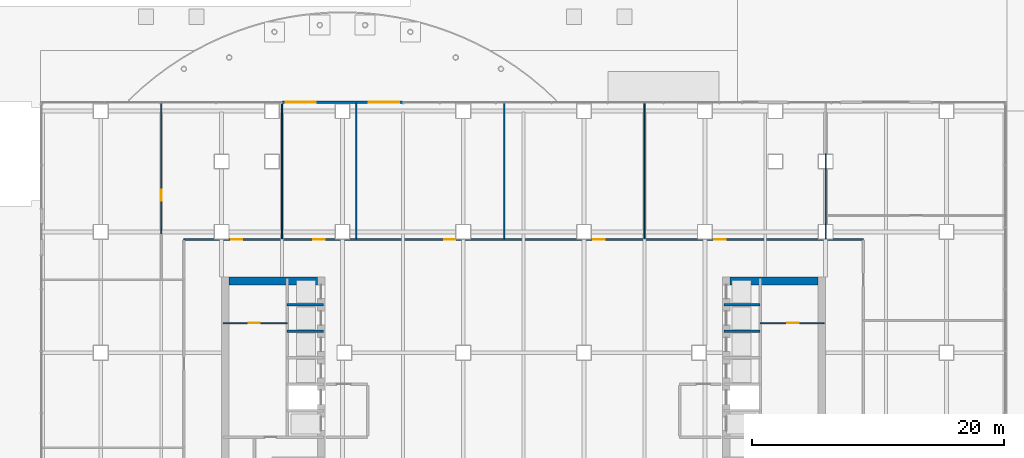
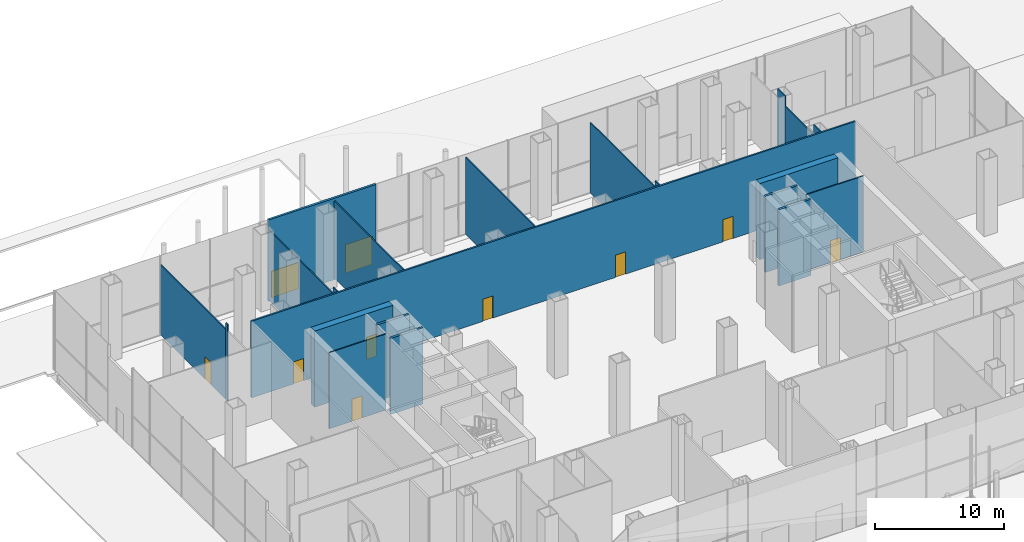
# One storey, part 29 of 36: 21 walls, 10 doors, 10 openings.
"""IFC4 building model written with IfcOpenShell, lengths in metres."""

from ifc_helpers import new_model, si_unit, direction, frame, frame_2d, origin, place, context, subcontext, project, spatial, rectangle, extrude, material, layer, layer_set, type_object, element, fill, save


model = new_model("IFC4")

# Units and contexts
model_context = context("Model", 3, precision=1e-05, world=origin(), true_north=direction((0.0, 1.0)))
body_context = subcontext(model_context, "Body", "Model", "MODEL_VIEW")
ifc_project = project(units=[si_unit("LENGTHUNIT", "METRE"), si_unit("AREAUNIT", "SQUARE_METRE"), si_unit("VOLUMEUNIT", "CUBIC_METRE"), si_unit("PLANEANGLEUNIT", "RADIAN"), si_unit("MASSUNIT", "GRAM", prefix="KILO")], contexts=[model_context])

# Site, building, storey
site_placement = place(None, origin())
site = spatial("IfcSite", under=ifc_project, at=site_placement, CompositionType="ELEMENT")
building_placement = place(site_placement, origin())
building = spatial("IfcBuilding", under=site, at=building_placement, Name="Cobrizo Arcos Hotel Tower", CompositionType="ELEMENT")
storey_placement = place(building_placement, origin())
storey = spatial("IfcBuildingStorey", under=building, at=storey_placement, Name="L00", CompositionType="ELEMENT", Elevation=0.0)

# Wall, openings, doors
ifc_material_1 = material(Name="Gypsum board partition")
ifc_layer_1 = layer(ifc_material_1, 0.14990234375)
ifc_layer_set_1 = layer_set([ifc_layer_1], Name="Corridor wall EI 60 150")
wall_type_1 = type_object("IfcWallType", Name="Corridor wall EI 60 150", PredefinedType="PARTITIONING", material=ifc_layer_set_1)
wall_1_placement = place(storey_placement, frame((-27.0, 13.800048828125, 0.0), z_axis=(0.0, 0.0, 1.0), x_axis=(1.0, 0.0, 0.0)))
wall_1 = element("IfcWall", 1, at=wall_1_placement, inside=storey, type_object=wall_type_1, Name="Partition 036", PredefinedType="PARTITIONING", context=body_context, shape_type="SweptSolid", body=[
    extrude(rectangle(XDim=54.0, YDim=0.14990234375, at=frame_2d((27.0, 0.0))), origin(), (0.0, 0.0, 1.0), 7.25),
])
opening_1_placement = place(wall_1_placement, frame((10.291015625, 0.0, 0.0)))
opening_1 = element("IfcOpeningElement", 2, at=opening_1_placement, cuts=wall_1, Name="Opening RD-08", PredefinedType="OPENING", context=body_context, shape_type="SweptSolid", body=[
    extrude(rectangle(XDim=0.89990234375, YDim=2.10009765625, at=frame_2d((0.449951171875, 1.050048828125))), frame((0.0, 0.0869140625, 0.0), z_axis=(0.0, -1.0, 0.0), x_axis=(1.0, 0.0, 0.0)), (0.0, 0.0, 1.0), 0.173828125),
])
opening_2_placement = place(wall_1_placement, frame((20.674072265625, 0.0, 0.0)))
opening_2 = element("IfcOpeningElement", 3, at=opening_2_placement, cuts=wall_1, Name="Opening RD-09", PredefinedType="OPENING", context=body_context, shape_type="SweptSolid", body=[
    extrude(rectangle(XDim=0.89990234375, YDim=2.10009765625, at=frame_2d((0.449951171875, 1.050048828125))), frame((0.0, 0.0869140625, 0.0), z_axis=(0.0, -1.0, 0.0), x_axis=(1.0, 0.0, 0.0)), (0.0, 0.0, 1.0), 0.173828125),
])
opening_3_placement = place(wall_1_placement, frame((32.550048828125, 0.0, 0.0)))
opening_3 = element("IfcOpeningElement", 4, at=opening_3_placement, cuts=wall_1, Name="Opening RD-11", PredefinedType="OPENING", context=body_context, shape_type="SweptSolid", body=[
    extrude(rectangle(XDim=0.89990234375, YDim=2.10009765625, at=frame_2d((0.449951171875, 1.050048828125))), frame((0.0, 0.0869140625, 0.0), z_axis=(0.0, -1.0, 0.0), x_axis=(1.0, 0.0, 0.0)), (0.0, 0.0, 1.0), 0.173828125),
])
opening_4_placement = place(wall_1_placement, frame((42.14990234375, 0.0, 0.0)))
opening_4 = element("IfcOpeningElement", 5, at=opening_4_placement, cuts=wall_1, Name="Opening RD-15", PredefinedType="OPENING", context=body_context, shape_type="SweptSolid", body=[
    extrude(rectangle(XDim=0.89990234375, YDim=2.10009765625, at=frame_2d((0.449951171875, 1.050048828125))), frame((0.0, 0.0869140625, 0.0), z_axis=(0.0, -1.0, 0.0), x_axis=(1.0, 0.0, 0.0)), (0.0, 0.0, 1.0), 0.173828125),
])
opening_5_placement = place(wall_1_placement, frame((3.75, 0.0, 0.0)))
opening_5 = element("IfcOpeningElement", 6, at=opening_5_placement, cuts=wall_1, Name="Opening RD-18", PredefinedType="OPENING", context=body_context, shape_type="SweptSolid", body=[
    extrude(rectangle(XDim=0.89990234375, YDim=2.10009765625, at=frame_2d((0.449951171875, 1.050048828125))), frame((0.0, 0.0869140625, 0.0), z_axis=(0.0, -1.0, 0.0), x_axis=(1.0, 0.0, 0.0)), (0.0, 0.0, 1.0), 0.173828125),
])
ifc_material_2 = material(Name="Timber door leaf", Category="wood")
door_type_1 = type_object("IfcDoorType", Name="Room door FD30 900x2100", OperationType="SINGLE_SWING_LEFT", PredefinedType="DOOR", material=ifc_material_2)
door_1_placement = place(opening_1_placement, origin())
door_1 = element("IfcDoor", 7, at=door_1_placement, inside=storey, type_object=door_type_1, Name="Door RD-08", OperationType="SINGLE_SWING_LEFT", OverallHeight=2.10009765625, OverallWidth=0.89990234375, PredefinedType="DOOR", context=body_context, shape_type="SweptSolid", body=[
    extrude(rectangle(XDim=0.89990234375, YDim=2.10009765625, at=frame_2d((0.449951171875, 1.050048828125))), frame((0.0, 0.02490234375, 0.0), z_axis=(0.0, -1.0, 0.0), x_axis=(1.0, 0.0, 0.0)), (0.0, 0.0, 1.0), 0.050048828125),
])
fill(opening_1, door_1)
door_2_placement = place(opening_2_placement, origin())
door_2 = element("IfcDoor", 8, at=door_2_placement, inside=storey, type_object=door_type_1, Name="Door RD-09", OperationType="SINGLE_SWING_LEFT", OverallHeight=2.10009765625, OverallWidth=0.89990234375, PredefinedType="DOOR", context=body_context, shape_type="SweptSolid", body=[
    extrude(rectangle(XDim=0.89990234375, YDim=2.10009765625, at=frame_2d((0.449951171875, 1.050048828125))), frame((0.0, 0.02490234375, 0.0), z_axis=(0.0, -1.0, 0.0), x_axis=(1.0, 0.0, 0.0)), (0.0, 0.0, 1.0), 0.050048828125),
])
fill(opening_2, door_2)
door_3_placement = place(opening_3_placement, origin())
door_3 = element("IfcDoor", 9, at=door_3_placement, inside=storey, type_object=door_type_1, Name="Door RD-11", OperationType="SINGLE_SWING_LEFT", OverallHeight=2.10009765625, OverallWidth=0.89990234375, PredefinedType="DOOR", context=body_context, shape_type="SweptSolid", body=[
    extrude(rectangle(XDim=0.89990234375, YDim=2.10009765625, at=frame_2d((0.449951171875, 1.050048828125))), frame((0.0, 0.02490234375, 0.0), z_axis=(0.0, -1.0, 0.0), x_axis=(1.0, 0.0, 0.0)), (0.0, 0.0, 1.0), 0.050048828125),
])
fill(opening_3, door_3)
door_4_placement = place(opening_4_placement, origin())
door_4 = element("IfcDoor", 10, at=door_4_placement, inside=storey, type_object=door_type_1, Name="Door RD-15", OperationType="SINGLE_SWING_RIGHT", OverallHeight=2.10009765625, OverallWidth=0.89990234375, PredefinedType="DOOR", context=body_context, shape_type="SweptSolid", body=[
    extrude(rectangle(XDim=0.89990234375, YDim=2.10009765625, at=frame_2d((0.449951171875, 1.050048828125))), frame((0.0, 0.02490234375, 0.0), z_axis=(0.0, -1.0, 0.0), x_axis=(1.0, 0.0, 0.0)), (0.0, 0.0, 1.0), 0.050048828125),
])
fill(opening_4, door_4)
door_5_placement = place(opening_5_placement, origin())
door_5 = element("IfcDoor", 11, at=door_5_placement, inside=storey, type_object=door_type_1, Name="Door RD-18", OperationType="SINGLE_SWING_LEFT", OverallHeight=2.10009765625, OverallWidth=0.89990234375, PredefinedType="DOOR", context=body_context, shape_type="SweptSolid", body=[
    extrude(rectangle(XDim=0.89990234375, YDim=2.10009765625, at=frame_2d((0.449951171875, 1.050048828125))), frame((0.0, 0.02490234375, 0.0), z_axis=(0.0, -1.0, 0.0), x_axis=(1.0, 0.0, 0.0)), (0.0, 0.0, 1.0), 0.050048828125),
])
fill(opening_5, door_5)

ifc_material_3 = material(Name="Aluminium 6063-T6 anodised pale", Category="aluminium")
ifc_layer_2 = layer(ifc_material_3, 0.199951171875)
ifc_layer_set_2 = layer_set([ifc_layer_2], Name="EW-2 shopfront wall")
wall_type_2 = type_object("IfcWallType", Name="EW-2 shopfront wall", PredefinedType="SOLIDWALL", material=ifc_layer_set_2)
wall_2_placement = place(storey_placement, frame((-9.60009765625, 24.699951171875, -0.199951171875), z_axis=(0.0, 0.0, 1.0), x_axis=(-1.0, 0.0, 0.0)))
wall_2 = element("IfcWall", 12, at=wall_2_placement, inside=storey, type_object=wall_type_2, Name="Entrance wall L00 N", PredefinedType="SOLIDWALL", context=body_context, shape_type="SweptSolid", body=[
    extrude(rectangle(XDim=9.599853515625, YDim=0.199951171875, at=frame_2d((4.7998046875, 0.0))), origin(), (0.0, 0.0, 1.0), 7.699951171875),
])
opening_6_placement = place(wall_2_placement, frame((6.89990234375, 0.0, 0.199951171875)))
opening_6 = element("IfcOpeningElement", 13, at=opening_6_placement, cuts=wall_2, Name="Opening E-04", PredefinedType="OPENING", context=body_context, shape_type="SweptSolid", body=[
    extrude(rectangle(XDim=2.39990234375, YDim=2.5, at=frame_2d((1.199951171875, 1.25))), frame((0.0, 0.112060546875, 0.0), z_axis=(0.0, -1.0, 0.0), x_axis=(1.0, 0.0, 0.0)), (0.0, 0.0, 1.0), 0.223876953125),
])
opening_7_placement = place(wall_2_placement, frame((0.300048828125, 0.0, 0.199951171875)))
opening_7 = element("IfcOpeningElement", 14, at=opening_7_placement, cuts=wall_2, Name="Opening E-05", PredefinedType="OPENING", context=body_context, shape_type="SweptSolid", body=[
    extrude(rectangle(XDim=2.39990234375, YDim=2.699951171875, at=frame_2d((1.199951171875, 1.35009765625))), frame((0.0, 0.112060546875, 0.0), z_axis=(0.0, -1.0, 0.0), x_axis=(1.0, 0.0, 0.0)), (0.0, 0.0, 1.0), 0.223876953125),
])
ifc_material_4 = material(Name="Aluminium 6063-T6 and clear laminated glass", Category="aluminium")
door_type_2 = type_object("IfcDoorType", Name="D-A1 automatic sliding entrance door 2400x2700", OperationType="DOUBLE_DOOR_SLIDING", PredefinedType="DOOR", material=ifc_material_4)
door_6_placement = place(opening_7_placement, origin())
door_6 = element("IfcDoor", 15, at=door_6_placement, inside=storey, type_object=door_type_2, Name="Entrance wall L00 N door E-05", OperationType="DOUBLE_DOOR_SLIDING", OverallHeight=2.699951171875, OverallWidth=2.39990234375, PredefinedType="DOOR", context=body_context, shape_type="SweptSolid", body=[
    extrude(rectangle(XDim=2.39990234375, YDim=2.699951171875, at=frame_2d((1.199951171875, 1.35009765625))), frame((0.0, 0.02490234375, 0.0), z_axis=(0.0, -1.0, 0.0), x_axis=(1.0, 0.0, 0.0)), (0.0, 0.0, 1.0), 0.050048828125),
])
fill(opening_7, door_6)
door_type_3 = type_object("IfcDoorType", Name="D-E1 entrance double door 2400x2500", OperationType="DOUBLE_DOOR_DOUBLE_SWING", PredefinedType="DOOR", material=ifc_material_4)
door_7_placement = place(opening_6_placement, origin())
door_7 = element("IfcDoor", 16, at=door_7_placement, inside=storey, type_object=door_type_3, Name="Entrance wall L00 N door E-04", OperationType="DOUBLE_DOOR_DOUBLE_SWING", OverallHeight=2.5, OverallWidth=2.39990234375, PredefinedType="DOOR", context=body_context, shape_type="SweptSolid", body=[
    extrude(rectangle(XDim=2.39990234375, YDim=2.5, at=frame_2d((1.199951171875, 1.25))), frame((0.0, 0.02490234375, 0.0), z_axis=(0.0, -1.0, 0.0), x_axis=(1.0, 0.0, 0.0)), (0.0, 0.0, 1.0), 0.050048828125),
])
fill(opening_6, door_7)

# Wall, opening, door
ifc_layer_3 = layer(ifc_material_1, 0.10009765625)
ifc_layer_set_3 = layer_set([ifc_layer_3], Name="Partition EI 30 100")
wall_type_3 = type_object("IfcWallType", Name="Partition EI 30 100", PredefinedType="PARTITIONING", material=ifc_layer_set_3)
wall_3_placement = place(storey_placement, frame((-23.8798828125, 7.14990234375, 0.0), z_axis=(0.0, 0.0, 1.0), x_axis=(1.0, 0.0, 0.0)))
wall_3 = element("IfcWall", 17, at=wall_3_placement, inside=storey, type_object=wall_type_3, Name="Partition 030", PredefinedType="PARTITIONING", context=body_context, shape_type="SweptSolid", body=[
    extrude(rectangle(XDim=5.079833984375, YDim=0.10009765625, at=frame_2d((2.5400390625, 0.0))), origin(), (0.0, 0.0, 1.0), 7.199951171875),
])
opening_8_placement = place(wall_3_placement, frame((2.030029296875, 0.0, 0.0)))
opening_8 = element("IfcOpeningElement", 18, at=opening_8_placement, cuts=wall_3, Name="Opening RD-02", PredefinedType="OPENING", context=body_context, shape_type="SweptSolid", body=[
    extrude(rectangle(XDim=0.89990234375, YDim=2.10009765625, at=frame_2d((0.449951171875, 1.050048828125))), frame((0.0, 0.06201171875, 0.0), z_axis=(0.0, -1.0, 0.0), x_axis=(1.0, 0.0, 0.0)), (0.0, 0.0, 1.0), 0.1240234375),
])
door_8_placement = place(opening_8_placement, origin())
door_8 = element("IfcDoor", 19, at=door_8_placement, inside=storey, type_object=door_type_1, Name="Door RD-02", OperationType="SINGLE_SWING_RIGHT", OverallHeight=2.10009765625, OverallWidth=0.89990234375, PredefinedType="DOOR", context=body_context, shape_type="SweptSolid", body=[
    extrude(rectangle(XDim=0.89990234375, YDim=2.10009765625, at=frame_2d((0.449951171875, 1.050048828125))), frame((0.0, 0.02490234375, 0.0), z_axis=(0.0, -1.0, 0.0), x_axis=(1.0, 0.0, 0.0)), (0.0, 0.0, 1.0), 0.050048828125),
])
fill(opening_8, door_8)

wall_4_placement = place(storey_placement, frame((18.800048828125, 7.14990234375, 0.0), z_axis=(0.0, 0.0, 1.0), x_axis=(1.0, 0.0, 0.0)))
wall_4 = element("IfcWall", 20, at=wall_4_placement, inside=storey, type_object=wall_type_3, Name="Partition 031", PredefinedType="PARTITIONING", context=body_context, shape_type="SweptSolid", body=[
    extrude(rectangle(XDim=5.079833984375, YDim=0.10009765625, at=frame_2d((2.5400390625, 0.0))), origin(), (0.0, 0.0, 1.0), 7.199951171875),
])
opening_9_placement = place(wall_4_placement, frame((2.14990234375, 0.0, 0.0)))
opening_9 = element("IfcOpeningElement", 21, at=opening_9_placement, cuts=wall_4, Name="Opening RD-05", PredefinedType="OPENING", context=body_context, shape_type="SweptSolid", body=[
    extrude(rectangle(XDim=0.89990234375, YDim=2.10009765625, at=frame_2d((0.449951171875, 1.050048828125))), frame((0.0, 0.06201171875, 0.0), z_axis=(0.0, -1.0, 0.0), x_axis=(1.0, 0.0, 0.0)), (0.0, 0.0, 1.0), 0.1240234375),
])
door_9_placement = place(opening_9_placement, origin())
door_9 = element("IfcDoor", 22, at=door_9_placement, inside=storey, type_object=door_type_1, Name="Door RD-05", OperationType="SINGLE_SWING_RIGHT", OverallHeight=2.10009765625, OverallWidth=0.89990234375, PredefinedType="DOOR", context=body_context, shape_type="SweptSolid", body=[
    extrude(rectangle(XDim=0.89990234375, YDim=2.10009765625, at=frame_2d((0.449951171875, 1.050048828125))), frame((0.0, 0.02490234375, 0.0), z_axis=(0.0, -1.0, 0.0), x_axis=(1.0, 0.0, 0.0)), (0.0, 0.0, 1.0), 0.050048828125),
])
fill(opening_9, door_9)

# Wall
wall_5_placement = place(storey_placement, frame((-28.800048828125, 14.24609375, 0.0), z_axis=(0.0, 0.0, 1.0), x_axis=(0.0, 1.0, 0.0)))
element("IfcWall", 23, at=wall_5_placement, inside=storey, type_object=wall_type_3, Name="Partition 040", PredefinedType="PARTITIONING", context=body_context, shape_type="SweptSolid", body=[
    extrude(rectangle(XDim=0.307861328125, YDim=0.10009765625, at=frame_2d((0.15380859375, 0.0))), origin(), (0.0, 0.0, 1.0), 7.25),
])

# Wall, opening, door
wall_6_placement = place(storey_placement, frame((-28.800048828125, 14.5537109375, 0.0), z_axis=(0.0, 0.0, 1.0), x_axis=(0.0, 1.0, 0.0)))
wall_6 = element("IfcWall", 24, at=wall_6_placement, inside=storey, type_object=wall_type_3, Name="Partition 041", PredefinedType="PARTITIONING", context=body_context, shape_type="SweptSolid", body=[
    extrude(rectangle(XDim=10.076171875, YDim=0.10009765625, at=frame_2d((5.0380859375, 0.0))), origin(), (0.0, 0.0, 1.0), 6.633056640625),
])
opening_10_placement = place(wall_6_placement, frame((2.302978515625, 0.0, 0.0)))
opening_10 = element("IfcOpeningElement", 25, at=opening_10_placement, cuts=wall_6, Name="Opening RD-21", PredefinedType="OPENING", context=body_context, shape_type="SweptSolid", body=[
    extrude(rectangle(XDim=0.89990234375, YDim=2.10009765625, at=frame_2d((0.449951171875, 1.050048828125))), frame((0.0, 0.06201171875, 0.0), z_axis=(0.0, -1.0, 0.0), x_axis=(1.0, 0.0, 0.0)), (0.0, 0.0, 1.0), 0.1240234375),
])
door_10_placement = place(opening_10_placement, origin())
door_10 = element("IfcDoor", 26, at=door_10_placement, inside=storey, type_object=door_type_1, Name="Door RD-21", OperationType="SINGLE_SWING_LEFT", OverallHeight=2.10009765625, OverallWidth=0.89990234375, PredefinedType="DOOR", context=body_context, shape_type="SweptSolid", body=[
    extrude(rectangle(XDim=0.89990234375, YDim=2.10009765625, at=frame_2d((0.449951171875, 1.050048828125))), frame((0.0, 0.02490234375, 0.0), z_axis=(0.0, -1.0, 0.0), x_axis=(1.0, 0.0, 0.0)), (0.0, 0.0, 1.0), 0.050048828125),
])
fill(opening_10, door_10)

# Walls
wall_7_placement = place(storey_placement, frame((-19.199951171875, 13.875, 0.0), z_axis=(0.0, 0.0, 1.0), x_axis=(0.0, 1.0, 0.0)))
element("IfcWall", 27, at=wall_7_placement, inside=storey, type_object=wall_type_3, Name="Partition 052", PredefinedType="PARTITIONING", context=body_context, shape_type="SweptSolid", body=[
    extrude(rectangle(XDim=0.678955078125, YDim=0.10009765625, at=frame_2d((0.33935546875, 0.0))), origin(), (0.0, 0.0, 1.0), 7.25),
])
wall_8_placement = place(storey_placement, frame((-19.199951171875, 14.5537109375, 0.0), z_axis=(0.0, 0.0, 1.0), x_axis=(0.0, 1.0, 0.0)))
element("IfcWall", 28, at=wall_8_placement, inside=storey, type_object=wall_type_3, Name="Partition 053", PredefinedType="PARTITIONING", context=body_context, shape_type="SweptSolid", body=[
    extrude(rectangle(XDim=10.076171875, YDim=0.10009765625, at=frame_2d((5.0380859375, 0.0))), origin(), (0.0, 0.0, 1.0), 6.633056640625),
])
for number, where, z_axis, x_axis, name in (
    (29, (-13.300048828125, 13.875, 0.0), (0.0, 0.0, 1.0), (0.0, 1.0, 0.0), "Partition 057"),
    (30, (-1.550048828125, 13.875, 0.0), (0.0, 0.0, 1.0), (0.0, 1.0, 0.0), "Partition 063"),
):
    element("IfcWall", number, at=place(storey_placement, frame(where, z_axis=z_axis, x_axis=x_axis)), inside=storey, type_object=wall_type_3, Name=name, PredefinedType="PARTITIONING", context=body_context, shape_type="SweptSolid", body=[
        extrude(rectangle(XDim=10.7548828125, YDim=0.10009765625, at=frame_2d((5.37744140625, 0.0))), origin(), (0.0, 0.0, 1.0), 7.25),
    ])
wall_9_placement = place(storey_placement, frame((9.60009765625, 13.875, 0.0), z_axis=(0.0, 0.0, 1.0), x_axis=(0.0, 1.0, 0.0)))
element("IfcWall", 31, at=wall_9_placement, inside=storey, type_object=wall_type_3, Name="Partition 068", PredefinedType="PARTITIONING", context=body_context, shape_type="SweptSolid", body=[
    extrude(rectangle(XDim=0.678955078125, YDim=0.10009765625, at=frame_2d((0.33935546875, 0.0))), origin(), (0.0, 0.0, 1.0), 7.25),
])
wall_10_placement = place(storey_placement, frame((9.60009765625, 14.5537109375, 0.0), z_axis=(0.0, 0.0, 1.0), x_axis=(0.0, 1.0, 0.0)))
element("IfcWall", 32, at=wall_10_placement, inside=storey, type_object=wall_type_3, Name="Partition 069", PredefinedType="PARTITIONING", context=body_context, shape_type="SweptSolid", body=[
    extrude(rectangle(XDim=10.076171875, YDim=0.10009765625, at=frame_2d((5.0380859375, 0.0))), origin(), (0.0, 0.0, 1.0), 6.633056640625),
])
wall_11_placement = place(storey_placement, frame((24.0, 13.875, 0.0), z_axis=(0.0, 0.0, 1.0), x_axis=(0.0, 1.0, 0.0)))
element("IfcWall", 33, at=wall_11_placement, inside=storey, type_object=wall_type_3, Name="Partition 075", PredefinedType="PARTITIONING", context=body_context, shape_type="SweptSolid", body=[
    extrude(rectangle(XDim=1.125, YDim=0.10009765625, at=frame_2d((0.5625, 0.0))), origin(), (0.0, 0.0, 1.0), 7.25),
])
wall_12_placement = place(storey_placement, frame((24.0, 15.0, 0.0), z_axis=(0.0, 0.0, 1.0), x_axis=(0.0, 1.0, 0.0)))
element("IfcWall", 34, at=wall_12_placement, inside=storey, type_object=wall_type_3, Name="Partition 076", PredefinedType="PARTITIONING", context=body_context, shape_type="SweptSolid", body=[
    extrude(rectangle(XDim=4.39990234375, YDim=0.10009765625, at=frame_2d((2.199951171875, 0.0))), origin(), (0.0, 0.0, 1.0), 6.322998046875),
])
wall_13_placement = place(storey_placement, frame((24.0, 19.39990234375, 0.0), z_axis=(0.0, 0.0, 1.0), x_axis=(0.0, 1.0, 0.0)))
element("IfcWall", 35, at=wall_13_placement, inside=storey, type_object=wall_type_3, Name="Partition 077", PredefinedType="PARTITIONING", context=body_context, shape_type="SweptSolid", body=[
    extrude(rectangle(XDim=1.2001953125, YDim=0.10009765625, at=frame_2d((0.60009765625, 0.0))), origin(), (0.0, 0.0, 1.0), 7.25),
])
ifc_material_5 = material(Name="Concrete f'c 60 MPa", Category="concrete")
ifc_layer_4 = layer(ifc_material_5, 0.60009765625)
ifc_layer_set_4 = layer_set([ifc_layer_4], Name="RC core wall 600 f'c 60")
wall_type_4 = type_object("IfcWallType", Name="RC core wall 600 f'c 60", PredefinedType="SHEAR", material=ifc_layer_set_4)
for number, where, z_axis, x_axis, name in (
    (36, (16.39990234375, 10.5, 0.0), (0.0, 0.0, 1.0), (1.0, 0.0, 0.0), "Core wall CW1, east core, north end, L00"),
    (37, (-23.39990234375, 10.5, 0.0), (0.0, 0.0, 1.0), (1.0, 0.0, 0.0), "Core wall CW1, west core, north end, L00"),
):
    element("IfcWall", number, at=place(storey_placement, frame(where, z_axis=z_axis, x_axis=x_axis)), inside=storey, type_object=wall_type_4, Name=name, PredefinedType="SHEAR", context=body_context, shape_type="SweptSolid", body=[
        extrude(rectangle(XDim=7.0, YDim=0.60009765625, at=frame_2d((3.5, 0.0))), origin(), (0.0, 0.0, 1.0), 7.199951171875),
    ])
ifc_layer_5 = layer(ifc_material_1, 0.199951171875)
ifc_layer_set_5 = layer_set([ifc_layer_5], Name="Shaft wall EI 120 200")
wall_type_5 = type_object("IfcWallType", Name="Shaft wall EI 120 200", PredefinedType="PARTITIONING", material=ifc_layer_set_5)
for number, where, z_axis, x_axis, name in (
    (38, (-18.800048828125, 6.5, 0.0), (0.0, 0.0, 1.0), (1.0, 0.0, 0.0), "Partition 028"),
    (39, (15.919921875, 6.5, 0.0), (0.0, 0.0, 1.0), (1.0, 0.0, 0.0), "Partition 029"),
    (40, (-18.800048828125, 8.60009765625, 0.0), (0.0, 0.0, 1.0), (1.0, 0.0, 0.0), "Partition 033"),
    (41, (15.919921875, 8.60009765625, 0.0), (0.0, 0.0, 1.0), (1.0, 0.0, 0.0), "Partition 034"),
):
    element("IfcWall", number, at=place(storey_placement, frame(where, z_axis=z_axis, x_axis=x_axis)), inside=storey, type_object=wall_type_5, Name=name, PredefinedType="PARTITIONING", context=body_context, shape_type="SweptSolid", body=[
        extrude(rectangle(XDim=2.880126953125, YDim=0.199951171875, at=frame_2d((1.43994140625, 0.0))), origin(), (0.0, 0.0, 1.0), 7.199951171875),
    ])

save(model, "model.ifc")
